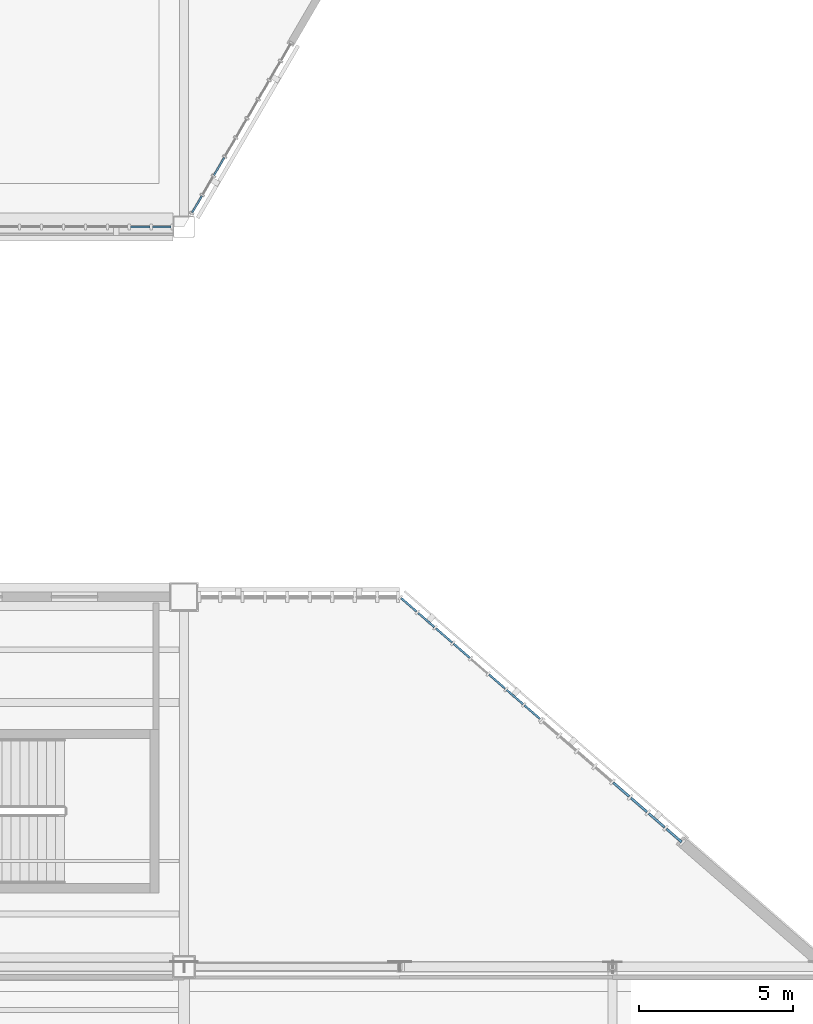
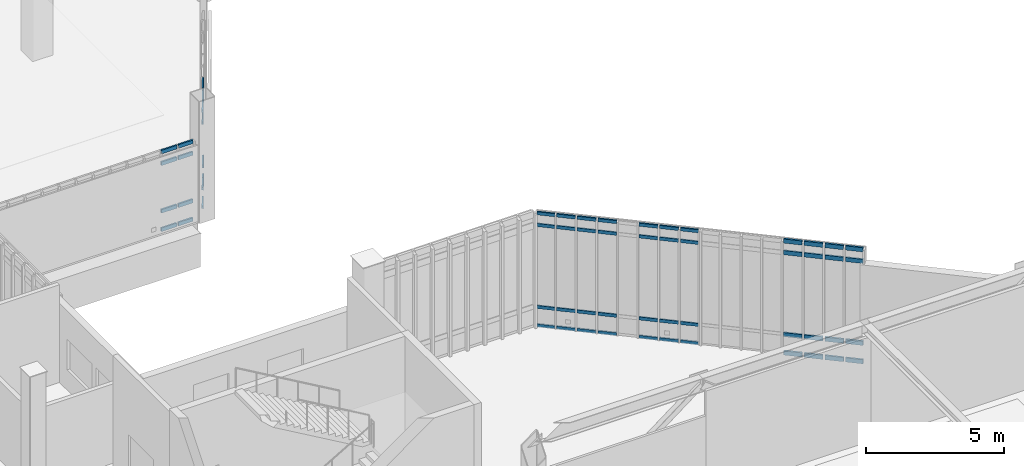
# One storey, part 67 of 135: 60 members, 4 elements without a shape of their own.
"""IFC4 building model written with IfcOpenShell, lengths in metres."""

from ifc_helpers import new_model, si_unit, direction, frame, origin, origin_2d, place, context, subcontext, project, spatial, rectangle, extrude, material, material_profile, profile_set, type_object, element, aggregate, save


model = new_model("IFC4")

# Units and contexts
model_context = context("Model", 3, precision=1e-05, world=origin(), true_north=direction((0.0, 1.0)))
body_context = subcontext(model_context, "Body", "Model", "MODEL_VIEW")
ifc_project = project(units=[si_unit("LENGTHUNIT", "METRE"), si_unit("AREAUNIT", "SQUARE_METRE"), si_unit("VOLUMEUNIT", "CUBIC_METRE"), si_unit("PLANEANGLEUNIT", "RADIAN"), si_unit("MASSUNIT", "GRAM", prefix="KILO")], contexts=[model_context])

# Site, building, storey
site_placement = place(None, origin())
site = spatial("IfcSite", under=ifc_project, at=site_placement, CompositionType="ELEMENT")
building_placement = place(site_placement, origin())
building = spatial("IfcBuilding", under=site, at=building_placement, Name="Larkvane Passage Sports Hall", CompositionType="ELEMENT")
storey_placement = place(building_placement, frame((0.0, 0.0, 16.800048828125)))
storey = spatial("IfcBuildingStorey", under=building, at=storey_placement, Name="L03", CompositionType="ELEMENT", Elevation=16.800048828125)

# Curtain wall, members
ifc_material_1 = material(Name="Thermally broken aluminium and low-E glazing", Category="aluminium")
curtain_wall_type_1 = type_object("IfcCurtainWallType", Name="CW-UNIT-COURT", PredefinedType="USERDEFINED", material=ifc_material_1)
curtain_wall_1_placement = place(storey_placement, origin())
curtain_wall_1 = element("IfcCurtainWall", 1, at=curtain_wall_1_placement, inside=storey, type_object=curtain_wall_type_1, Name="Curtain wall CW5-L03-108", ObjectType="UNITISED CURTAIN WALL", PredefinedType="USERDEFINED")
ifc_material_2 = material(Name="Anodised aluminium 6063-T6", Category="aluminium")
ifc_material_profile_1 = material_profile(ifc_material_2, rectangle(XDim=0.06005859375, YDim=0.1201171875, at=origin_2d()), Name="ALU-TRN-60x120")
ifc_profile_set_1 = profile_set([ifc_material_profile_1], Name="Anodised aluminium 6063-T6")
member_type_1 = type_object("IfcMemberType", Name="CW-TRN-60x120", PredefinedType="USERDEFINED", material=ifc_profile_set_1)
member_1_placement = place(storey_placement, frame((146.9111328125, 65.847412109375, 0.030029296875), z_axis=(-0.504055232855, -0.863671420293, 0.0), x_axis=(0.863671420293, -0.504055232855, 0.0)))
member_1 = element("IfcMember", 2, at=member_1_placement, type_object=member_type_1, Name="CW-01 transom 7.1", ObjectType="TRANSOM", PredefinedType="USERDEFINED", context=body_context, shape_type="SweptSolid", body=[
    extrude(rectangle(XDim=0.06005859375, YDim=0.1201171875, at=origin_2d()), origin(), (0.0, 0.0, 1.0), 0.6591796875),
])
member_2_placement = place(storey_placement, frame((146.9111328125, 65.847412109375, 0.849853515625), z_axis=(-0.504055232855, -0.863671420293, 0.0), x_axis=(0.863671420293, -0.504055232855, 0.0)))
member_2 = element("IfcMember", 3, at=member_2_placement, type_object=member_type_1, Name="CW-01 transom 7.2", ObjectType="TRANSOM", PredefinedType="USERDEFINED", context=body_context, shape_type="SweptSolid", body=[
    extrude(rectangle(XDim=0.06005859375, YDim=0.1201171875, at=origin_2d()), origin(), (0.0, 0.0, 1.0), 0.6591796875),
])
member_3_placement = place(storey_placement, frame((146.9111328125, 65.847412109375, 3.758056640625), z_axis=(-0.504055232855, -0.863671420293, 0.0), x_axis=(0.863671420293, -0.504055232855, 0.0)))
member_3 = element("IfcMember", 4, at=member_3_placement, type_object=member_type_1, Name="CW-01 transom 7.3", ObjectType="TRANSOM", PredefinedType="USERDEFINED", context=body_context, shape_type="SweptSolid", body=[
    extrude(rectangle(XDim=0.06005859375, YDim=0.1201171875, at=origin_2d()), origin(), (0.0, 0.0, 1.0), 0.6591796875),
])
member_4_placement = place(storey_placement, frame((146.9111328125, 65.847412109375, 4.27783203125), z_axis=(-0.504055232855, -0.863671420293, 0.0), x_axis=(0.863671420293, -0.504055232855, 0.0)))
member_4 = element("IfcMember", 5, at=member_4_placement, type_object=member_type_1, Name="CW-01 transom 7.4", ObjectType="TRANSOM", PredefinedType="USERDEFINED", context=body_context, shape_type="SweptSolid", body=[
    extrude(rectangle(XDim=0.06005859375, YDim=0.1201171875, at=origin_2d()), origin(), (0.0, 0.0, 1.0), 0.6591796875),
])
member_5_placement = place(storey_placement, frame((146.186279296875, 64.605224609375, 0.030029296875), z_axis=(-0.503726242947, -0.86386334114, 0.0), x_axis=(0.86386334114, -0.503726242947, 0.0)))
member_5 = element("IfcMember", 6, at=member_5_placement, type_object=member_type_1, Name="CW-01 transom 9.1", ObjectType="TRANSOM", PredefinedType="USERDEFINED", context=body_context, shape_type="SweptSolid", body=[
    extrude(rectangle(XDim=0.06005859375, YDim=0.1201171875, at=origin_2d()), origin(), (0.0, 0.0, 1.0), 0.629150390625),
])
member_6_placement = place(storey_placement, frame((146.186279296875, 64.605224609375, 0.849853515625), z_axis=(-0.503726242947, -0.86386334114, 0.0), x_axis=(0.86386334114, -0.503726242947, 0.0)))
member_6 = element("IfcMember", 7, at=member_6_placement, type_object=member_type_1, Name="CW-01 transom 9.2", ObjectType="TRANSOM", PredefinedType="USERDEFINED", context=body_context, shape_type="SweptSolid", body=[
    extrude(rectangle(XDim=0.06005859375, YDim=0.1201171875, at=origin_2d()), origin(), (0.0, 0.0, 1.0), 0.629150390625),
])
member_7_placement = place(storey_placement, frame((146.186279296875, 64.605224609375, 3.758056640625), z_axis=(-0.503726242947, -0.86386334114, 0.0), x_axis=(0.86386334114, -0.503726242947, 0.0)))
member_7 = element("IfcMember", 8, at=member_7_placement, type_object=member_type_1, Name="CW-01 transom 9.3", ObjectType="TRANSOM", PredefinedType="USERDEFINED", context=body_context, shape_type="SweptSolid", body=[
    extrude(rectangle(XDim=0.06005859375, YDim=0.1201171875, at=origin_2d()), origin(), (0.0, 0.0, 1.0), 0.629150390625),
])
member_8_placement = place(storey_placement, frame((146.186279296875, 64.605224609375, 4.27783203125), z_axis=(-0.503726242947, -0.86386334114, 0.0), x_axis=(0.86386334114, -0.503726242947, 0.0)))
member_8 = element("IfcMember", 9, at=member_8_placement, type_object=member_type_1, Name="CW-01 transom 9.4", ObjectType="TRANSOM", PredefinedType="USERDEFINED", context=body_context, shape_type="SweptSolid", body=[
    extrude(rectangle(XDim=0.06005859375, YDim=0.1201171875, at=origin_2d()), origin(), (0.0, 0.0, 1.0), 0.629150390625),
])
aggregate(curtain_wall_1, [member_1, member_2, member_3, member_4, member_5, member_6, member_7, member_8])

curtain_wall_2_placement = place(storey_placement, origin())
curtain_wall_2 = element("IfcCurtainWall", 10, at=curtain_wall_2_placement, inside=storey, type_object=curtain_wall_type_1, Name="Curtain wall CW5-L03-112", ObjectType="UNITISED CURTAIN WALL", PredefinedType="USERDEFINED")
ifc_material_profile_2 = material_profile(ifc_material_2, rectangle(XDim=0.06494140625, YDim=0.139892578125, at=origin_2d()), Name="ALU-TRN-65x140")
ifc_profile_set_2 = profile_set([ifc_material_profile_2], Name="Anodised aluminium 6063-T6")
member_type_2 = type_object("IfcMemberType", Name="CW-TRN-65x140", PredefinedType="USERDEFINED", material=ifc_profile_set_2)
member_9_placement = place(storey_placement, frame((152.649169921875, 51.557373046875, 0.032470703125), z_axis=(0.754463095916, -0.656342469219, 0.0), x_axis=(0.656342469219, 0.754463095916, 0.0)))
member_9 = element("IfcMember", 11, at=member_9_placement, type_object=member_type_2, Name="CW-01 transom 1.1", ObjectType="TRANSOM", PredefinedType="USERDEFINED", context=body_context, shape_type="SweptSolid", body=[
    extrude(rectangle(XDim=0.06494140625, YDim=0.139892578125, at=origin_2d()), origin(), (0.0, 0.0, 1.0), 0.664306640625),
])
member_10_placement = place(storey_placement, frame((152.649169921875, 51.557373046875, 0.849853515625), z_axis=(0.754463095916, -0.656342469219, 0.0), x_axis=(0.656342469219, 0.754463095916, 0.0)))
member_10 = element("IfcMember", 12, at=member_10_placement, type_object=member_type_2, Name="CW-01 transom 1.2", ObjectType="TRANSOM", PredefinedType="USERDEFINED", context=body_context, shape_type="SweptSolid", body=[
    extrude(rectangle(XDim=0.06494140625, YDim=0.139892578125, at=origin_2d()), origin(), (0.0, 0.0, 1.0), 0.664306640625),
])
member_11_placement = place(storey_placement, frame((152.649169921875, 51.557373046875, 4.47998046875), z_axis=(0.754463095916, -0.656342469219, 0.0), x_axis=(0.656342469219, 0.754463095916, 0.0)))
member_11 = element("IfcMember", 13, at=member_11_placement, type_object=member_type_2, Name="CW-01 transom 1.3", ObjectType="TRANSOM", PredefinedType="USERDEFINED", context=body_context, shape_type="SweptSolid", body=[
    extrude(rectangle(XDim=0.06494140625, YDim=0.139892578125, at=origin_2d()), origin(), (0.0, 0.0, 1.0), 0.664306640625),
])
member_12_placement = place(storey_placement, frame((152.649169921875, 51.557373046875, 4.99755859375), z_axis=(0.754463095916, -0.656342469219, 0.0), x_axis=(0.656342469219, 0.754463095916, 0.0)))
member_12 = element("IfcMember", 14, at=member_12_placement, type_object=member_type_2, Name="CW-01 transom 1.4", ObjectType="TRANSOM", PredefinedType="USERDEFINED", context=body_context, shape_type="SweptSolid", body=[
    extrude(rectangle(XDim=0.06494140625, YDim=0.139892578125, at=origin_2d()), origin(), (0.0, 0.0, 1.0), 0.664306640625),
])
member_13_placement = place(storey_placement, frame((153.199462890625, 51.07861328125, 0.032470703125), z_axis=(0.754763842653, -0.655996601991, 0.0), x_axis=(0.655996601991, 0.754763842653, 0.0)))
member_13 = element("IfcMember", 15, at=member_13_placement, type_object=member_type_2, Name="CW-01 transom 2.1", ObjectType="TRANSOM", PredefinedType="USERDEFINED", context=body_context, shape_type="SweptSolid", body=[
    extrude(rectangle(XDim=0.06494140625, YDim=0.139892578125, at=origin_2d()), origin(), (0.0, 0.0, 1.0), 0.697021484375),
])
member_14_placement = place(storey_placement, frame((153.199462890625, 51.07861328125, 0.849853515625), z_axis=(0.754763842653, -0.655996601991, 0.0), x_axis=(0.655996601991, 0.754763842653, 0.0)))
member_14 = element("IfcMember", 16, at=member_14_placement, type_object=member_type_2, Name="CW-01 transom 2.2", ObjectType="TRANSOM", PredefinedType="USERDEFINED", context=body_context, shape_type="SweptSolid", body=[
    extrude(rectangle(XDim=0.06494140625, YDim=0.139892578125, at=origin_2d()), origin(), (0.0, 0.0, 1.0), 0.697021484375),
])
member_15_placement = place(storey_placement, frame((153.199462890625, 51.07861328125, 4.47998046875), z_axis=(0.754763842653, -0.655996601991, 0.0), x_axis=(0.655996601991, 0.754763842653, 0.0)))
member_15 = element("IfcMember", 17, at=member_15_placement, type_object=member_type_2, Name="CW-01 transom 2.3", ObjectType="TRANSOM", PredefinedType="USERDEFINED", context=body_context, shape_type="SweptSolid", body=[
    extrude(rectangle(XDim=0.06494140625, YDim=0.139892578125, at=origin_2d()), origin(), (0.0, 0.0, 1.0), 0.697021484375),
])
member_16_placement = place(storey_placement, frame((153.199462890625, 51.07861328125, 4.99755859375), z_axis=(0.754763842653, -0.655996601991, 0.0), x_axis=(0.655996601991, 0.754763842653, 0.0)))
member_16 = element("IfcMember", 18, at=member_16_placement, type_object=member_type_2, Name="CW-01 transom 2.4", ObjectType="TRANSOM", PredefinedType="USERDEFINED", context=body_context, shape_type="SweptSolid", body=[
    extrude(rectangle(XDim=0.06494140625, YDim=0.139892578125, at=origin_2d()), origin(), (0.0, 0.0, 1.0), 0.697021484375),
])
member_17_placement = place(storey_placement, frame((153.7744140625, 50.57861328125, 0.032470703125), z_axis=(0.754763842653, -0.655996601991, 0.0), x_axis=(0.655996601991, 0.754763842653, 0.0)))
member_17 = element("IfcMember", 19, at=member_17_placement, type_object=member_type_2, Name="CW-01 transom 3.1", ObjectType="TRANSOM", PredefinedType="USERDEFINED", context=body_context, shape_type="SweptSolid", body=[
    extrude(rectangle(XDim=0.06494140625, YDim=0.139892578125, at=origin_2d()), origin(), (0.0, 0.0, 1.0), 0.697021484375),
])
member_18_placement = place(storey_placement, frame((153.7744140625, 50.57861328125, 0.849853515625), z_axis=(0.754763842653, -0.655996601991, 0.0), x_axis=(0.655996601991, 0.754763842653, 0.0)))
member_18 = element("IfcMember", 20, at=member_18_placement, type_object=member_type_2, Name="CW-01 transom 3.2", ObjectType="TRANSOM", PredefinedType="USERDEFINED", context=body_context, shape_type="SweptSolid", body=[
    extrude(rectangle(XDim=0.06494140625, YDim=0.139892578125, at=origin_2d()), origin(), (0.0, 0.0, 1.0), 0.697021484375),
])
member_19_placement = place(storey_placement, frame((153.7744140625, 50.57861328125, 4.47998046875), z_axis=(0.754763842653, -0.655996601991, 0.0), x_axis=(0.655996601991, 0.754763842653, 0.0)))
member_19 = element("IfcMember", 21, at=member_19_placement, type_object=member_type_2, Name="CW-01 transom 3.3", ObjectType="TRANSOM", PredefinedType="USERDEFINED", context=body_context, shape_type="SweptSolid", body=[
    extrude(rectangle(XDim=0.06494140625, YDim=0.139892578125, at=origin_2d()), origin(), (0.0, 0.0, 1.0), 0.697021484375),
])
member_20_placement = place(storey_placement, frame((153.7744140625, 50.57861328125, 4.99755859375), z_axis=(0.754763842653, -0.655996601991, 0.0), x_axis=(0.655996601991, 0.754763842653, 0.0)))
member_20 = element("IfcMember", 22, at=member_20_placement, type_object=member_type_2, Name="CW-01 transom 3.4", ObjectType="TRANSOM", PredefinedType="USERDEFINED", context=body_context, shape_type="SweptSolid", body=[
    extrude(rectangle(XDim=0.06494140625, YDim=0.139892578125, at=origin_2d()), origin(), (0.0, 0.0, 1.0), 0.697021484375),
])
member_21_placement = place(storey_placement, frame((154.349609375, 50.07861328125, 0.032470703125), z_axis=(0.754613064224, -0.656170041454, 0.0), x_axis=(0.656170041454, 0.754613064224, 0.0)))
member_21 = element("IfcMember", 23, at=member_21_placement, type_object=member_type_2, Name="CW-01 transom 4.1", ObjectType="TRANSOM", PredefinedType="USERDEFINED", context=body_context, shape_type="SweptSolid", body=[
    extrude(rectangle(XDim=0.06494140625, YDim=0.139892578125, at=origin_2d()), origin(), (0.0, 0.0, 1.0), 0.69677734375),
])
member_22_placement = place(storey_placement, frame((154.349609375, 50.07861328125, 0.849853515625), z_axis=(0.754613064224, -0.656170041454, 0.0), x_axis=(0.656170041454, 0.754613064224, 0.0)))
member_22 = element("IfcMember", 24, at=member_22_placement, type_object=member_type_2, Name="CW-01 transom 4.2", ObjectType="TRANSOM", PredefinedType="USERDEFINED", context=body_context, shape_type="SweptSolid", body=[
    extrude(rectangle(XDim=0.06494140625, YDim=0.139892578125, at=origin_2d()), origin(), (0.0, 0.0, 1.0), 0.69677734375),
])
member_23_placement = place(storey_placement, frame((154.349609375, 50.07861328125, 4.47998046875), z_axis=(0.754613064224, -0.656170041454, 0.0), x_axis=(0.656170041454, 0.754613064224, 0.0)))
member_23 = element("IfcMember", 25, at=member_23_placement, type_object=member_type_2, Name="CW-01 transom 4.3", ObjectType="TRANSOM", PredefinedType="USERDEFINED", context=body_context, shape_type="SweptSolid", body=[
    extrude(rectangle(XDim=0.06494140625, YDim=0.139892578125, at=origin_2d()), origin(), (0.0, 0.0, 1.0), 0.69677734375),
])
member_24_placement = place(storey_placement, frame((154.349609375, 50.07861328125, 4.99755859375), z_axis=(0.754613064224, -0.656170041454, 0.0), x_axis=(0.656170041454, 0.754613064224, 0.0)))
member_24 = element("IfcMember", 26, at=member_24_placement, type_object=member_type_2, Name="CW-01 transom 4.4", ObjectType="TRANSOM", PredefinedType="USERDEFINED", context=body_context, shape_type="SweptSolid", body=[
    extrude(rectangle(XDim=0.06494140625, YDim=0.139892578125, at=origin_2d()), origin(), (0.0, 0.0, 1.0), 0.69677734375),
])
member_25_placement = place(storey_placement, frame((155.49951171875, 49.07861328125, 0.032470703125), z_axis=(0.754613064224, -0.656170041454, 0.0), x_axis=(0.656170041454, 0.754613064224, 0.0)))
member_25 = element("IfcMember", 27, at=member_25_placement, type_object=member_type_2, Name="CW-01 transom 6.1", ObjectType="TRANSOM", PredefinedType="USERDEFINED", context=body_context, shape_type="SweptSolid", body=[
    extrude(rectangle(XDim=0.06494140625, YDim=0.139892578125, at=origin_2d()), origin(), (0.0, 0.0, 1.0), 0.69677734375),
])
member_26_placement = place(storey_placement, frame((155.49951171875, 49.07861328125, 0.849853515625), z_axis=(0.754613064224, -0.656170041454, 0.0), x_axis=(0.656170041454, 0.754613064224, 0.0)))
member_26 = element("IfcMember", 28, at=member_26_placement, type_object=member_type_2, Name="CW-01 transom 6.2", ObjectType="TRANSOM", PredefinedType="USERDEFINED", context=body_context, shape_type="SweptSolid", body=[
    extrude(rectangle(XDim=0.06494140625, YDim=0.139892578125, at=origin_2d()), origin(), (0.0, 0.0, 1.0), 0.69677734375),
])
member_27_placement = place(storey_placement, frame((155.49951171875, 49.07861328125, 4.47998046875), z_axis=(0.754613064224, -0.656170041454, 0.0), x_axis=(0.656170041454, 0.754613064224, 0.0)))
member_27 = element("IfcMember", 29, at=member_27_placement, type_object=member_type_2, Name="CW-01 transom 6.3", ObjectType="TRANSOM", PredefinedType="USERDEFINED", context=body_context, shape_type="SweptSolid", body=[
    extrude(rectangle(XDim=0.06494140625, YDim=0.139892578125, at=origin_2d()), origin(), (0.0, 0.0, 1.0), 0.69677734375),
])
member_28_placement = place(storey_placement, frame((155.49951171875, 49.07861328125, 4.99755859375), z_axis=(0.754613064224, -0.656170041454, 0.0), x_axis=(0.656170041454, 0.754613064224, 0.0)))
member_28 = element("IfcMember", 30, at=member_28_placement, type_object=member_type_2, Name="CW-01 transom 6.4", ObjectType="TRANSOM", PredefinedType="USERDEFINED", context=body_context, shape_type="SweptSolid", body=[
    extrude(rectangle(XDim=0.06494140625, YDim=0.139892578125, at=origin_2d()), origin(), (0.0, 0.0, 1.0), 0.69677734375),
])
member_29_placement = place(storey_placement, frame((156.074462890625, 48.57861328125, 0.032470703125), z_axis=(0.754763842653, -0.655996601991, 0.0), x_axis=(0.655996601991, 0.754763842653, 0.0)))
member_29 = element("IfcMember", 31, at=member_29_placement, type_object=member_type_2, Name="CW-01 transom 7.1", ObjectType="TRANSOM", PredefinedType="USERDEFINED", context=body_context, shape_type="SweptSolid", body=[
    extrude(rectangle(XDim=0.06494140625, YDim=0.139892578125, at=origin_2d()), origin(), (0.0, 0.0, 1.0), 0.697021484375),
])
member_30_placement = place(storey_placement, frame((156.074462890625, 48.57861328125, 0.849853515625), z_axis=(0.754763842653, -0.655996601991, 0.0), x_axis=(0.655996601991, 0.754763842653, 0.0)))
member_30 = element("IfcMember", 32, at=member_30_placement, type_object=member_type_2, Name="CW-01 transom 7.2", ObjectType="TRANSOM", PredefinedType="USERDEFINED", context=body_context, shape_type="SweptSolid", body=[
    extrude(rectangle(XDim=0.06494140625, YDim=0.139892578125, at=origin_2d()), origin(), (0.0, 0.0, 1.0), 0.697021484375),
])
member_31_placement = place(storey_placement, frame((156.074462890625, 48.57861328125, 4.47998046875), z_axis=(0.754763842653, -0.655996601991, 0.0), x_axis=(0.655996601991, 0.754763842653, 0.0)))
member_31 = element("IfcMember", 33, at=member_31_placement, type_object=member_type_2, Name="CW-01 transom 7.3", ObjectType="TRANSOM", PredefinedType="USERDEFINED", context=body_context, shape_type="SweptSolid", body=[
    extrude(rectangle(XDim=0.06494140625, YDim=0.139892578125, at=origin_2d()), origin(), (0.0, 0.0, 1.0), 0.697021484375),
])
member_32_placement = place(storey_placement, frame((156.074462890625, 48.57861328125, 4.99755859375), z_axis=(0.754763842653, -0.655996601991, 0.0), x_axis=(0.655996601991, 0.754763842653, 0.0)))
member_32 = element("IfcMember", 34, at=member_32_placement, type_object=member_type_2, Name="CW-01 transom 7.4", ObjectType="TRANSOM", PredefinedType="USERDEFINED", context=body_context, shape_type="SweptSolid", body=[
    extrude(rectangle(XDim=0.06494140625, YDim=0.139892578125, at=origin_2d()), origin(), (0.0, 0.0, 1.0), 0.697021484375),
])
member_33_placement = place(storey_placement, frame((156.6494140625, 48.07861328125, 0.032470703125), z_axis=(0.754621340722, -0.65616052314, 0.0), x_axis=(0.65616052314, 0.754621340722, 0.0)))
member_33 = element("IfcMember", 35, at=member_33_placement, type_object=member_type_2, Name="CW-01 transom 8.1", ObjectType="TRANSOM", PredefinedType="USERDEFINED", context=body_context, shape_type="SweptSolid", body=[
    extrude(rectangle(XDim=0.06494140625, YDim=0.139892578125, at=origin_2d()), origin(), (0.0, 0.0, 1.0), 0.66455078125),
])
member_34_placement = place(storey_placement, frame((156.6494140625, 48.07861328125, 0.849853515625), z_axis=(0.754621340722, -0.65616052314, 0.0), x_axis=(0.65616052314, 0.754621340722, 0.0)))
member_34 = element("IfcMember", 36, at=member_34_placement, type_object=member_type_2, Name="CW-01 transom 8.2", ObjectType="TRANSOM", PredefinedType="USERDEFINED", context=body_context, shape_type="SweptSolid", body=[
    extrude(rectangle(XDim=0.06494140625, YDim=0.139892578125, at=origin_2d()), origin(), (0.0, 0.0, 1.0), 0.66455078125),
])
member_35_placement = place(storey_placement, frame((156.6494140625, 48.07861328125, 4.47998046875), z_axis=(0.754621340722, -0.65616052314, 0.0), x_axis=(0.65616052314, 0.754621340722, 0.0)))
member_35 = element("IfcMember", 37, at=member_35_placement, type_object=member_type_2, Name="CW-01 transom 8.3", ObjectType="TRANSOM", PredefinedType="USERDEFINED", context=body_context, shape_type="SweptSolid", body=[
    extrude(rectangle(XDim=0.06494140625, YDim=0.139892578125, at=origin_2d()), origin(), (0.0, 0.0, 1.0), 0.66455078125),
])
member_36_placement = place(storey_placement, frame((156.6494140625, 48.07861328125, 4.99755859375), z_axis=(0.754621340722, -0.65616052314, 0.0), x_axis=(0.65616052314, 0.754621340722, 0.0)))
member_36 = element("IfcMember", 38, at=member_36_placement, type_object=member_type_2, Name="CW-01 transom 8.4", ObjectType="TRANSOM", PredefinedType="USERDEFINED", context=body_context, shape_type="SweptSolid", body=[
    extrude(rectangle(XDim=0.06494140625, YDim=0.139892578125, at=origin_2d()), origin(), (0.0, 0.0, 1.0), 0.66455078125),
])
aggregate(curtain_wall_2, [member_9, member_10, member_11, member_12, member_13, member_14, member_15, member_16, member_17, member_18, member_19, member_20, member_21, member_22, member_23, member_24, member_25, member_26, member_27, member_28, member_29, member_30, member_31, member_32, member_33, member_34, member_35, member_36])

curtain_wall_type_2 = type_object("IfcCurtainWallType", Name="CW-UNIT-VEIL", PredefinedType="USERDEFINED", material=ifc_material_1)
curtain_wall_3_placement = place(storey_placement, origin())
curtain_wall_3 = element("IfcCurtainWall", 39, at=curtain_wall_3_placement, inside=storey, type_object=curtain_wall_type_2, Name="Curtain wall CW5-L03-109", ObjectType="UNITISED CURTAIN WALL", PredefinedType="USERDEFINED")
ifc_material_profile_3 = material_profile(ifc_material_2, rectangle(XDim=0.070068359375, YDim=0.159912109375, at=origin_2d()), Name="ALU-TRN-70x160")
ifc_profile_set_3 = profile_set([ifc_material_profile_3], Name="Anodised aluminium 6063-T6")
member_type_3 = type_object("IfcMemberType", Name="CW-TRN-70x160", PredefinedType="USERDEFINED", material=ifc_profile_set_3)
member_37_placement = place(storey_placement, frame((145.18408203125, 63.60009765625, 0.034912109375), z_axis=(-1.0, 0.0, 0.0), x_axis=(0.0, -1.0, 0.0)))
member_37 = element("IfcMember", 40, at=member_37_placement, type_object=member_type_3, Name="CW-02 transom 1.1", ObjectType="TRANSOM", PredefinedType="USERDEFINED", context=body_context, shape_type="SweptSolid", body=[
    extrude(rectangle(XDim=0.070068359375, YDim=0.159912109375, at=origin_2d()), origin(), (0.0, 0.0, 1.0), 0.60693359375),
])
member_38_placement = place(storey_placement, frame((145.18408203125, 63.60009765625, 0.849853515625), z_axis=(-1.0, 0.0, 0.0), x_axis=(0.0, -1.0, 0.0)))
member_38 = element("IfcMember", 41, at=member_38_placement, type_object=member_type_3, Name="CW-02 transom 1.2", ObjectType="TRANSOM", PredefinedType="USERDEFINED", context=body_context, shape_type="SweptSolid", body=[
    extrude(rectangle(XDim=0.070068359375, YDim=0.159912109375, at=origin_2d()), origin(), (0.0, 0.0, 1.0), 0.60693359375),
])
member_39_placement = place(storey_placement, frame((145.18408203125, 63.60009765625, 2.9580078125), z_axis=(-1.0, 0.0, 0.0), x_axis=(0.0, -1.0, 0.0)))
member_39 = element("IfcMember", 42, at=member_39_placement, type_object=member_type_3, Name="CW-02 transom 1.3", ObjectType="TRANSOM", PredefinedType="USERDEFINED", context=body_context, shape_type="SweptSolid", body=[
    extrude(rectangle(XDim=0.070068359375, YDim=0.159912109375, at=origin_2d()), origin(), (0.0, 0.0, 1.0), 0.60693359375),
])
member_40_placement = place(storey_placement, frame((145.18408203125, 63.60009765625, 3.472900390625), z_axis=(-1.0, 0.0, 0.0), x_axis=(0.0, -1.0, 0.0)))
member_40 = element("IfcMember", 43, at=member_40_placement, type_object=member_type_3, Name="CW-02 transom 1.4", ObjectType="TRANSOM", PredefinedType="USERDEFINED", context=body_context, shape_type="SweptSolid", body=[
    extrude(rectangle(XDim=0.070068359375, YDim=0.159912109375, at=origin_2d()), origin(), (0.0, 0.0, 1.0), 0.60693359375),
])
member_41_placement = place(storey_placement, frame((144.507080078125, 63.60009765625, 0.034912109375), z_axis=(-1.0, 0.0, 0.0), x_axis=(0.0, -1.0, 0.0)))
member_41 = element("IfcMember", 44, at=member_41_placement, type_object=member_type_3, Name="CW-02 transom 2.1", ObjectType="TRANSOM", PredefinedType="USERDEFINED", context=body_context, shape_type="SweptSolid", body=[
    extrude(rectangle(XDim=0.070068359375, YDim=0.159912109375, at=origin_2d()), origin(), (0.0, 0.0, 1.0), 0.641845703125),
])
member_42_placement = place(storey_placement, frame((144.507080078125, 63.60009765625, 0.849853515625), z_axis=(-1.0, 0.0, 0.0), x_axis=(0.0, -1.0, 0.0)))
member_42 = element("IfcMember", 45, at=member_42_placement, type_object=member_type_3, Name="CW-02 transom 2.2", ObjectType="TRANSOM", PredefinedType="USERDEFINED", context=body_context, shape_type="SweptSolid", body=[
    extrude(rectangle(XDim=0.070068359375, YDim=0.159912109375, at=origin_2d()), origin(), (0.0, 0.0, 1.0), 0.641845703125),
])
member_43_placement = place(storey_placement, frame((144.507080078125, 63.60009765625, 2.9580078125), z_axis=(-1.0, 0.0, 0.0), x_axis=(0.0, -1.0, 0.0)))
member_43 = element("IfcMember", 46, at=member_43_placement, type_object=member_type_3, Name="CW-02 transom 2.3", ObjectType="TRANSOM", PredefinedType="USERDEFINED", context=body_context, shape_type="SweptSolid", body=[
    extrude(rectangle(XDim=0.070068359375, YDim=0.159912109375, at=origin_2d()), origin(), (0.0, 0.0, 1.0), 0.641845703125),
])
member_44_placement = place(storey_placement, frame((144.507080078125, 63.60009765625, 3.472900390625), z_axis=(-1.0, 0.0, 0.0), x_axis=(0.0, -1.0, 0.0)))
member_44 = element("IfcMember", 47, at=member_44_placement, type_object=member_type_3, Name="CW-02 transom 2.4", ObjectType="TRANSOM", PredefinedType="USERDEFINED", context=body_context, shape_type="SweptSolid", body=[
    extrude(rectangle(XDim=0.070068359375, YDim=0.159912109375, at=origin_2d()), origin(), (0.0, 0.0, 1.0), 0.641845703125),
])
aggregate(curtain_wall_3, [member_37, member_38, member_39, member_40, member_41, member_42, member_43, member_44])

curtain_wall_4_placement = place(storey_placement, origin())
curtain_wall_4 = element("IfcCurtainWall", 48, at=curtain_wall_4_placement, inside=storey, type_object=curtain_wall_type_2, Name="Curtain wall CW5-L03-113", ObjectType="UNITISED CURTAIN WALL", PredefinedType="USERDEFINED")
ifc_material_profile_4 = material_profile(ifc_material_2, rectangle(XDim=0.074951171875, YDim=0.18505859375, at=origin_2d()), Name="ALU-TRN-75x185")
ifc_profile_set_4 = profile_set([ifc_material_profile_4], Name="Anodised aluminium 6063-T6")
member_type_4 = type_object("IfcMemberType", Name="CW-TRN-75x185", PredefinedType="USERDEFINED", material=ifc_profile_set_4)
member_45_placement = place(storey_placement, frame((159.5283203125, 45.575439453125, 0.037353515625), z_axis=(0.75444483832, -0.656363455665, 0.0), x_axis=(0.656363455665, 0.75444483832, 0.0)))
member_45 = element("IfcMember", 49, at=member_45_placement, type_object=member_type_4, Name="CW-02 transom 5.1", ObjectType="TRANSOM", PredefinedType="USERDEFINED", context=body_context, shape_type="SweptSolid", body=[
    extrude(rectangle(XDim=0.074951171875, YDim=0.18505859375, at=origin_2d()), origin(), (0.0, 0.0, 1.0), 0.68701171875),
])
member_46_placement = place(storey_placement, frame((159.5283203125, 45.575439453125, 0.849853515625), z_axis=(0.75444483832, -0.656363455665, 0.0), x_axis=(0.656363455665, 0.75444483832, 0.0)))
member_46 = element("IfcMember", 50, at=member_46_placement, type_object=member_type_4, Name="CW-02 transom 5.2", ObjectType="TRANSOM", PredefinedType="USERDEFINED", context=body_context, shape_type="SweptSolid", body=[
    extrude(rectangle(XDim=0.074951171875, YDim=0.18505859375, at=origin_2d()), origin(), (0.0, 0.0, 1.0), 0.68701171875),
])
member_47_placement = place(storey_placement, frame((159.5283203125, 45.575439453125, 4.47998046875), z_axis=(0.75444483832, -0.656363455665, 0.0), x_axis=(0.656363455665, 0.75444483832, 0.0)))
member_47 = element("IfcMember", 51, at=member_47_placement, type_object=member_type_4, Name="CW-02 transom 5.3", ObjectType="TRANSOM", PredefinedType="USERDEFINED", context=body_context, shape_type="SweptSolid", body=[
    extrude(rectangle(XDim=0.074951171875, YDim=0.18505859375, at=origin_2d()), origin(), (0.0, 0.0, 1.0), 0.68701171875),
])
member_48_placement = place(storey_placement, frame((159.5283203125, 45.575439453125, 4.992431640625), z_axis=(0.75444483832, -0.656363455665, 0.0), x_axis=(0.656363455665, 0.75444483832, 0.0)))
member_48 = element("IfcMember", 52, at=member_48_placement, type_object=member_type_4, Name="CW-02 transom 5.4", ObjectType="TRANSOM", PredefinedType="USERDEFINED", context=body_context, shape_type="SweptSolid", body=[
    extrude(rectangle(XDim=0.074951171875, YDim=0.18505859375, at=origin_2d()), origin(), (0.0, 0.0, 1.0), 0.68701171875),
])
member_49_placement = place(storey_placement, frame((160.103271484375, 45.075439453125, 0.037353515625), z_axis=(0.75444483832, -0.656363455665, 0.0), x_axis=(0.656363455665, 0.75444483832, 0.0)))
member_49 = element("IfcMember", 53, at=member_49_placement, type_object=member_type_4, Name="CW-02 transom 6.1", ObjectType="TRANSOM", PredefinedType="USERDEFINED", context=body_context, shape_type="SweptSolid", body=[
    extrude(rectangle(XDim=0.074951171875, YDim=0.18505859375, at=origin_2d()), origin(), (0.0, 0.0, 1.0), 0.68701171875),
])
member_50_placement = place(storey_placement, frame((160.103271484375, 45.075439453125, 0.849853515625), z_axis=(0.75444483832, -0.656363455665, 0.0), x_axis=(0.656363455665, 0.75444483832, 0.0)))
member_50 = element("IfcMember", 54, at=member_50_placement, type_object=member_type_4, Name="CW-02 transom 6.2", ObjectType="TRANSOM", PredefinedType="USERDEFINED", context=body_context, shape_type="SweptSolid", body=[
    extrude(rectangle(XDim=0.074951171875, YDim=0.18505859375, at=origin_2d()), origin(), (0.0, 0.0, 1.0), 0.68701171875),
])
member_51_placement = place(storey_placement, frame((160.103271484375, 45.075439453125, 4.47998046875), z_axis=(0.75444483832, -0.656363455665, 0.0), x_axis=(0.656363455665, 0.75444483832, 0.0)))
member_51 = element("IfcMember", 55, at=member_51_placement, type_object=member_type_4, Name="CW-02 transom 6.3", ObjectType="TRANSOM", PredefinedType="USERDEFINED", context=body_context, shape_type="SweptSolid", body=[
    extrude(rectangle(XDim=0.074951171875, YDim=0.18505859375, at=origin_2d()), origin(), (0.0, 0.0, 1.0), 0.68701171875),
])
member_52_placement = place(storey_placement, frame((160.103271484375, 45.075439453125, 4.992431640625), z_axis=(0.75444483832, -0.656363455665, 0.0), x_axis=(0.656363455665, 0.75444483832, 0.0)))
member_52 = element("IfcMember", 56, at=member_52_placement, type_object=member_type_4, Name="CW-02 transom 6.4", ObjectType="TRANSOM", PredefinedType="USERDEFINED", context=body_context, shape_type="SweptSolid", body=[
    extrude(rectangle(XDim=0.074951171875, YDim=0.18505859375, at=origin_2d()), origin(), (0.0, 0.0, 1.0), 0.68701171875),
])
member_53_placement = place(storey_placement, frame((160.67822265625, 44.575439453125, 0.037353515625), z_axis=(0.754597873629, -0.656187510636, 0.0), x_axis=(0.656187510636, 0.754597873629, 0.0)))
member_53 = element("IfcMember", 57, at=member_53_placement, type_object=member_type_4, Name="CW-02 transom 7.1", ObjectType="TRANSOM", PredefinedType="USERDEFINED", context=body_context, shape_type="SweptSolid", body=[
    extrude(rectangle(XDim=0.074951171875, YDim=0.18505859375, at=origin_2d()), origin(), (0.0, 0.0, 1.0), 0.687255859375),
])
member_54_placement = place(storey_placement, frame((160.67822265625, 44.575439453125, 0.849853515625), z_axis=(0.754597873629, -0.656187510636, 0.0), x_axis=(0.656187510636, 0.754597873629, 0.0)))
member_54 = element("IfcMember", 58, at=member_54_placement, type_object=member_type_4, Name="CW-02 transom 7.2", ObjectType="TRANSOM", PredefinedType="USERDEFINED", context=body_context, shape_type="SweptSolid", body=[
    extrude(rectangle(XDim=0.074951171875, YDim=0.18505859375, at=origin_2d()), origin(), (0.0, 0.0, 1.0), 0.687255859375),
])
member_55_placement = place(storey_placement, frame((160.67822265625, 44.575439453125, 4.47998046875), z_axis=(0.754597873629, -0.656187510636, 0.0), x_axis=(0.656187510636, 0.754597873629, 0.0)))
member_55 = element("IfcMember", 59, at=member_55_placement, type_object=member_type_4, Name="CW-02 transom 7.3", ObjectType="TRANSOM", PredefinedType="USERDEFINED", context=body_context, shape_type="SweptSolid", body=[
    extrude(rectangle(XDim=0.074951171875, YDim=0.18505859375, at=origin_2d()), origin(), (0.0, 0.0, 1.0), 0.687255859375),
])
member_56_placement = place(storey_placement, frame((160.67822265625, 44.575439453125, 4.992431640625), z_axis=(0.754597873629, -0.656187510636, 0.0), x_axis=(0.656187510636, 0.754597873629, 0.0)))
member_56 = element("IfcMember", 60, at=member_56_placement, type_object=member_type_4, Name="CW-02 transom 7.4", ObjectType="TRANSOM", PredefinedType="USERDEFINED", context=body_context, shape_type="SweptSolid", body=[
    extrude(rectangle(XDim=0.074951171875, YDim=0.18505859375, at=origin_2d()), origin(), (0.0, 0.0, 1.0), 0.687255859375),
])
member_57_placement = place(storey_placement, frame((161.25341796875, 44.075439453125, 0.037353515625), z_axis=(0.754459831752, -0.656346221345, 0.0), x_axis=(0.656346221345, 0.754459831752, 0.0)))
member_57 = element("IfcMember", 61, at=member_57_placement, type_object=member_type_4, Name="CW-02 transom 8.1", ObjectType="TRANSOM", PredefinedType="USERDEFINED", context=body_context, shape_type="SweptSolid", body=[
    extrude(rectangle(XDim=0.074951171875, YDim=0.18505859375, at=origin_2d()), origin(), (0.0, 0.0, 1.0), 0.6494140625),
])
member_58_placement = place(storey_placement, frame((161.25341796875, 44.075439453125, 0.849853515625), z_axis=(0.754459831752, -0.656346221345, 0.0), x_axis=(0.656346221345, 0.754459831752, 0.0)))
member_58 = element("IfcMember", 62, at=member_58_placement, type_object=member_type_4, Name="CW-02 transom 8.2", ObjectType="TRANSOM", PredefinedType="USERDEFINED", context=body_context, shape_type="SweptSolid", body=[
    extrude(rectangle(XDim=0.074951171875, YDim=0.18505859375, at=origin_2d()), origin(), (0.0, 0.0, 1.0), 0.6494140625),
])
member_59_placement = place(storey_placement, frame((161.25341796875, 44.075439453125, 4.47998046875), z_axis=(0.754459831752, -0.656346221345, 0.0), x_axis=(0.656346221345, 0.754459831752, 0.0)))
member_59 = element("IfcMember", 63, at=member_59_placement, type_object=member_type_4, Name="CW-02 transom 8.3", ObjectType="TRANSOM", PredefinedType="USERDEFINED", context=body_context, shape_type="SweptSolid", body=[
    extrude(rectangle(XDim=0.074951171875, YDim=0.18505859375, at=origin_2d()), origin(), (0.0, 0.0, 1.0), 0.6494140625),
])
member_60_placement = place(storey_placement, frame((161.25341796875, 44.075439453125, 4.992431640625), z_axis=(0.754459831752, -0.656346221345, 0.0), x_axis=(0.656346221345, 0.754459831752, 0.0)))
member_60 = element("IfcMember", 64, at=member_60_placement, type_object=member_type_4, Name="CW-02 transom 8.4", ObjectType="TRANSOM", PredefinedType="USERDEFINED", context=body_context, shape_type="SweptSolid", body=[
    extrude(rectangle(XDim=0.074951171875, YDim=0.18505859375, at=origin_2d()), origin(), (0.0, 0.0, 1.0), 0.6494140625),
])
aggregate(curtain_wall_4, [member_45, member_46, member_47, member_48, member_49, member_50, member_51, member_52, member_53, member_54, member_55, member_56, member_57, member_58, member_59, member_60])

save(model, "model.ifc")
